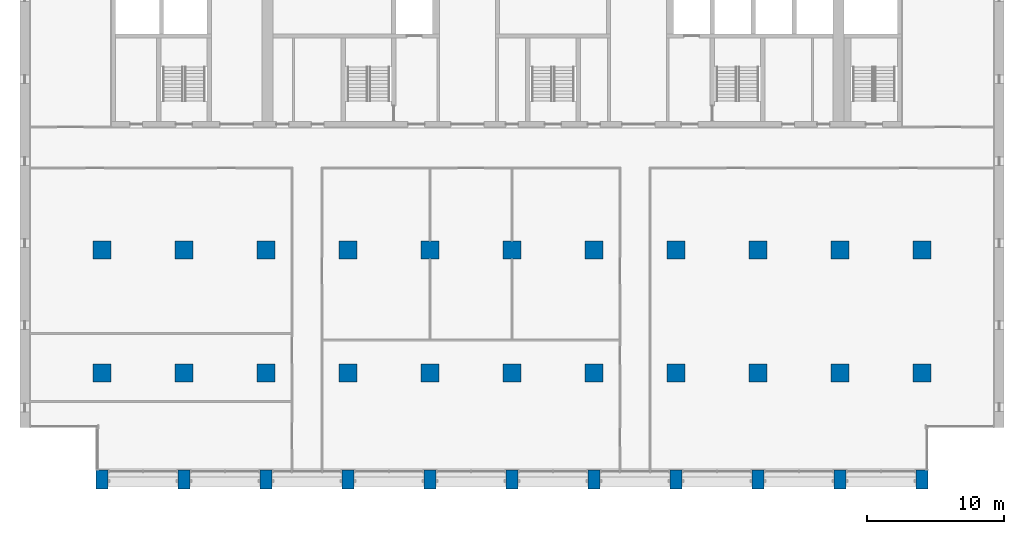
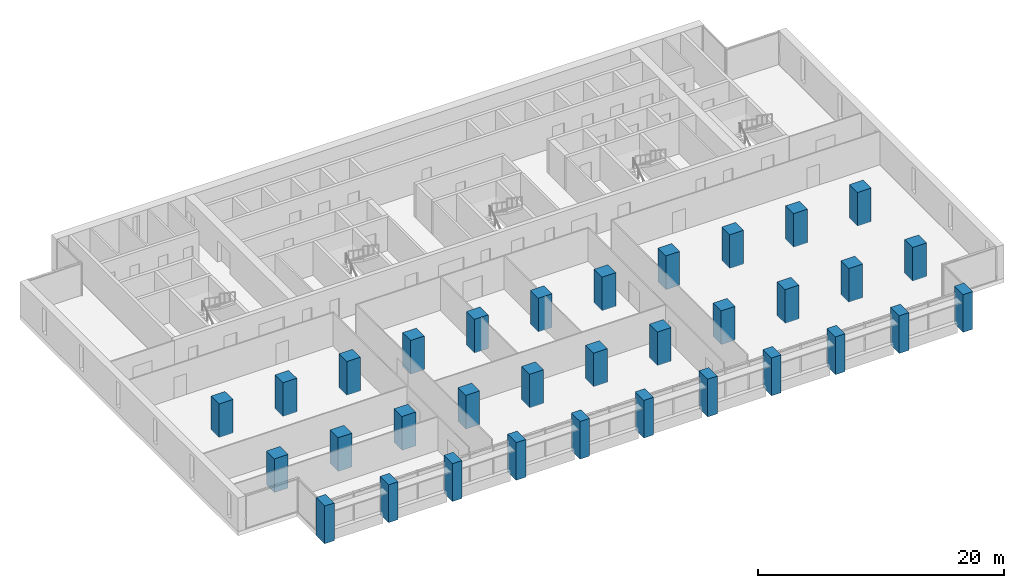
# One storey, part 1 of 15: 33 columns.
"""IFC4 building model written with IfcOpenShell, lengths in metres."""

from ifc_helpers import new_model, si_unit, direction, frame, origin, origin_2d, place, context, subcontext, project, spatial, rectangle, extrude, material, material_profile, profile_set, type_object, element, save


model = new_model("IFC4")

# Units and contexts
model_context = context("Model", 3, precision=1e-05, world=origin(), true_north=direction((0.0, 1.0)))
body_context = subcontext(model_context, "Body", "Model", "MODEL_VIEW")
ifc_project = project(units=[si_unit("LENGTHUNIT", "METRE"), si_unit("AREAUNIT", "SQUARE_METRE"), si_unit("VOLUMEUNIT", "CUBIC_METRE"), si_unit("PLANEANGLEUNIT", "RADIAN"), si_unit("MASSUNIT", "GRAM", prefix="KILO")], contexts=[model_context])

# Site, building, storey
site_placement = place(None, origin())
site = spatial("IfcSite", under=ifc_project, at=site_placement, CompositionType="ELEMENT")
building_placement = place(site_placement, origin())
building = spatial("IfcBuilding", under=site, at=building_placement, Name="Calvaro Tower", CompositionType="ELEMENT")
storey_placement = place(building_placement, frame((0.0, 0.0, 125.0)))
storey = spatial("IfcBuildingStorey", under=building, at=storey_placement, Name="L31", CompositionType="ELEMENT", Elevation=125.0)

# Columns
ifc_material_1 = material(Name="Concrete C60/75", Category="concrete")
ifc_material_profile_1 = material_profile(ifc_material_1, rectangle(XDim=1.300048828125, YDim=1.300048828125, at=origin_2d()), Name="RC 1300x1300")
ifc_profile_set_1 = profile_set([ifc_material_profile_1], Name="Concrete C60/75")
column_type_1 = type_object("IfcColumnType", Name="Column 1300x1300 C60/75", PredefinedType="COLUMN", material=ifc_profile_set_1)
for number, where, z_axis, x_axis, name in (
    (1, (6.0, 10.0, 0.0), (0.0, 0.0, 1.0), (1.0, 0.0, 0.0), "Column 2B"),
    (2, (6.0, 19.0, 0.0), (0.0, 0.0, 1.0), (1.0, 0.0, 0.0), "Column 2C"),
    (3, (12.0, 10.0, 0.0), (0.0, 0.0, 1.0), (1.0, 0.0, 0.0), "Column 3B"),
    (4, (12.0, 19.0, 0.0), (0.0, 0.0, 1.0), (1.0, 0.0, 0.0), "Column 3C"),
    (5, (18.0, 10.0, 0.0), (0.0, 0.0, 1.0), (1.0, 0.0, 0.0), "Column 4B"),
    (6, (18.0, 19.0, 0.0), (0.0, 0.0, 1.0), (1.0, 0.0, 0.0), "Column 4C"),
    (7, (24.0, 10.0, 0.0), (0.0, 0.0, 1.0), (1.0, 0.0, 0.0), "Column 5B"),
    (8, (24.0, 19.0, 0.0), (0.0, 0.0, 1.0), (1.0, 0.0, 0.0), "Column 5C"),
    (9, (30.0, 10.0, 0.0), (0.0, 0.0, 1.0), (1.0, 0.0, 0.0), "Column 6B"),
    (10, (30.0, 19.0, 0.0), (0.0, 0.0, 1.0), (1.0, 0.0, 0.0), "Column 6C"),
    (11, (36.0, 10.0, 0.0), (0.0, 0.0, 1.0), (1.0, 0.0, 0.0), "Column 7B"),
    (12, (36.0, 19.0, 0.0), (0.0, 0.0, 1.0), (1.0, 0.0, 0.0), "Column 7C"),
    (13, (42.0, 10.0, 0.0), (0.0, 0.0, 1.0), (1.0, 0.0, 0.0), "Column 8B"),
    (14, (42.0, 19.0, 0.0), (0.0, 0.0, 1.0), (1.0, 0.0, 0.0), "Column 8C"),
    (15, (48.0, 10.0, 0.0), (0.0, 0.0, 1.0), (1.0, 0.0, 0.0), "Column 9B"),
    (16, (48.0, 19.0, 0.0), (0.0, 0.0, 1.0), (1.0, 0.0, 0.0), "Column 9C"),
    (17, (54.0, 10.0, 0.0), (0.0, 0.0, 1.0), (1.0, 0.0, 0.0), "Column 10B"),
    (18, (54.0, 19.0, 0.0), (0.0, 0.0, 1.0), (1.0, 0.0, 0.0), "Column 10C"),
    (19, (60.0, 10.0, 0.0), (0.0, 0.0, 1.0), (1.0, 0.0, 0.0), "Column 11B"),
    (20, (60.0, 19.0, 0.0), (0.0, 0.0, 1.0), (1.0, 0.0, 0.0), "Column 11C"),
    (21, (66.0, 10.0, 0.0), (0.0, 0.0, 1.0), (1.0, 0.0, 0.0), "Column 12B"),
    (22, (66.0, 19.0, 0.0), (0.0, 0.0, 1.0), (1.0, 0.0, 0.0), "Column 12C"),
):
    element("IfcColumn", number, at=place(storey_placement, frame(where, z_axis=z_axis, x_axis=x_axis)), inside=storey, type_object=column_type_1, Name=name, PredefinedType="COLUMN", context=body_context, shape_type="SweptSolid", body=[
        extrude(rectangle(XDim=1.300048828125, YDim=1.300048828125, at=origin_2d()), origin(), (0.0, 0.0, 1.0), 3.35009765625),
    ])
ifc_material_2 = material(Name="Concrete C60/75", Category="concrete")
ifc_material_profile_2 = material_profile(ifc_material_2, rectangle(XDim=0.89990234375, YDim=1.39990234375, at=origin_2d()), Name="RC 900x1400")
ifc_profile_set_2 = profile_set([ifc_material_profile_2], Name="Concrete C60/75")
column_type_2 = type_object("IfcColumnType", Name="Pier 900x1400 C60/75", PredefinedType="COLUMN", material=ifc_profile_set_2)
for number, where, z_axis, x_axis, name in (
    (23, (6.0, 2.199951171875, -0.39990234375), (0.0, 0.0, 1.0), (1.0, 0.0, 0.0), "South pier 2"),
    (24, (12.0, 2.199951171875, -0.39990234375), (0.0, 0.0, 1.0), (1.0, 0.0, 0.0), "South pier 3"),
    (25, (18.0, 2.199951171875, -0.39990234375), (0.0, 0.0, 1.0), (1.0, 0.0, 0.0), "South pier 4"),
    (26, (24.0, 2.199951171875, -0.39990234375), (0.0, 0.0, 1.0), (1.0, 0.0, 0.0), "South pier 5"),
    (27, (30.0, 2.199951171875, -0.39990234375), (0.0, 0.0, 1.0), (1.0, 0.0, 0.0), "South pier 6"),
    (28, (36.0, 2.199951171875, -0.39990234375), (0.0, 0.0, 1.0), (1.0, 0.0, 0.0), "South pier 7"),
    (29, (42.0, 2.199951171875, -0.39990234375), (0.0, 0.0, 1.0), (1.0, 0.0, 0.0), "South pier 8"),
    (30, (48.0, 2.199951171875, -0.39990234375), (0.0, 0.0, 1.0), (1.0, 0.0, 0.0), "South pier 9"),
    (31, (54.0, 2.199951171875, -0.39990234375), (0.0, 0.0, 1.0), (1.0, 0.0, 0.0), "South pier 10"),
    (32, (60.0, 2.199951171875, -0.39990234375), (0.0, 0.0, 1.0), (1.0, 0.0, 0.0), "South pier 11"),
    (33, (66.0, 2.199951171875, -0.39990234375), (0.0, 0.0, 1.0), (1.0, 0.0, 0.0), "South pier 12"),
):
    element("IfcColumn", number, at=place(storey_placement, frame(where, z_axis=z_axis, x_axis=x_axis)), inside=storey, type_object=column_type_2, Name=name, PredefinedType="COLUMN", context=body_context, shape_type="SweptSolid", body=[
        extrude(rectangle(XDim=0.89990234375, YDim=1.39990234375, at=origin_2d()), origin(), (0.0, 0.0, 1.0), 3.75),
    ])

save(model, "model.ifc")
